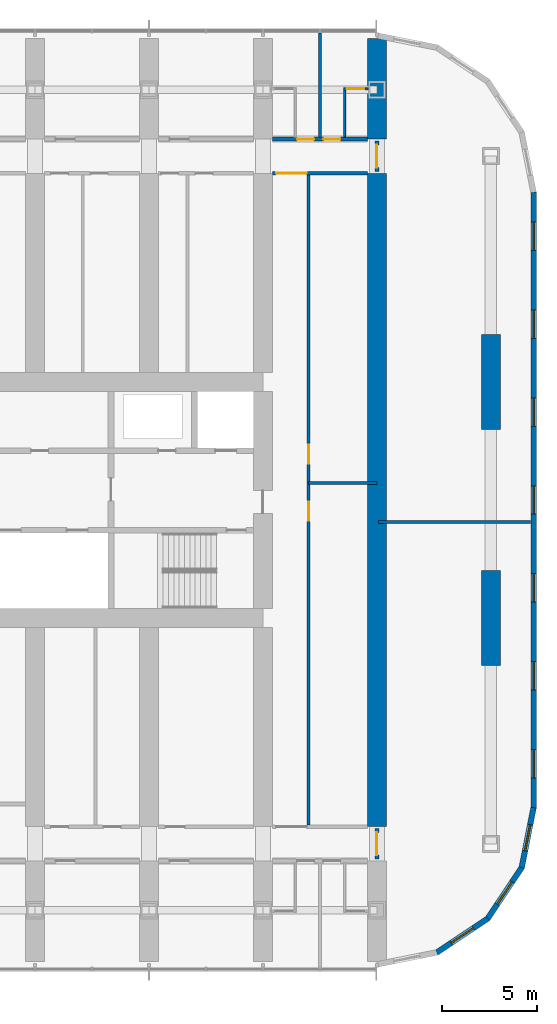
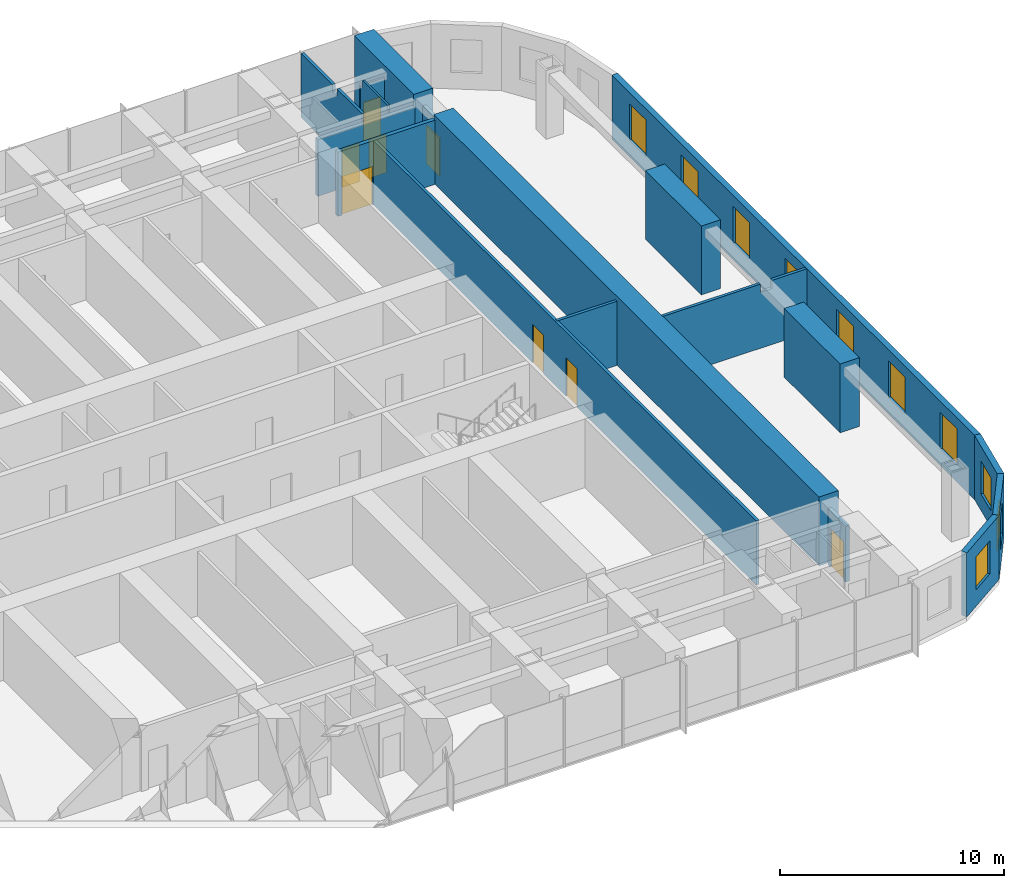
# One storey, part 17 of 23: 18 walls, 10 windows, 8 doors, 18 openings.
"""IFC4 building model written with IfcOpenShell, lengths in metres."""

from ifc_helpers import new_model, si_unit, direction, frame, frame_2d, origin, place, context, subcontext, project, spatial, polyline, rectangle, outline, extrude, material, layer, layer_set, type_object, element, fill, save


model = new_model("IFC4")

# Units and contexts
model_context = context("Model", 3, precision=1e-05, world=origin(), true_north=direction((0.0, 1.0)))
body_context = subcontext(model_context, "Body", "Model", "MODEL_VIEW")
ifc_project = project(units=[si_unit("LENGTHUNIT", "METRE"), si_unit("AREAUNIT", "SQUARE_METRE"), si_unit("VOLUMEUNIT", "CUBIC_METRE"), si_unit("PLANEANGLEUNIT", "RADIAN"), si_unit("MASSUNIT", "GRAM", prefix="KILO")], contexts=[model_context])

# Site, building, storey
site_placement = place(None, origin())
site = spatial("IfcSite", under=ifc_project, at=site_placement, CompositionType="ELEMENT")
building_placement = place(site_placement, origin())
building = spatial("IfcBuilding", under=site, at=building_placement, Name="Orbita Commons", CompositionType="ELEMENT")
storey_placement = place(building_placement, frame((0.0, 0.0, 61.449951171875)))
storey = spatial("IfcBuildingStorey", under=building, at=storey_placement, Name="L15", CompositionType="ELEMENT", Elevation=61.449951171875)

# Wall, openings, doors
ifc_material_1 = material(Name="Concrete blockwork", Category="masonry")
ifc_layer_1 = layer(ifc_material_1, 0.199951171875)
ifc_layer_set_1 = layer_set([ifc_layer_1], Name="Concrete blockwork")
wall_type_1 = type_object("IfcWallType", Name="Corridor wall 200 blockwork", PredefinedType="SOLIDWALL", material=ifc_layer_set_1)
wall_1_placement = place(storey_placement, frame((66.5, 51.0, 0.0), z_axis=(0.0, 0.0, 1.0), x_axis=(1.0, 0.0, 0.0)))
wall_1 = element("IfcWall", 1, at=wall_1_placement, inside=storey, type_object=wall_type_1, Name="Corridor wall 200 blockwork L15", PredefinedType="SOLIDWALL", context=body_context, shape_type="SweptSolid", body=[
    extrude(outline(polyline([(0.0, 0.0), (5.0, 0.0), (5.0, 3.10009765625), (0.0, 3.10009765625), (0.0, 0.0)])), frame((0.0, 0.10009765625, 0.0), z_axis=(0.0, -1.0, 0.0), x_axis=(1.0, 0.0, 0.0)), (0.0, 0.0, 1.0), 0.199951171875),
])
opening_1_placement = place(wall_1_placement, frame((1.300048828125, 0.0, 0.0)))
opening_1 = element("IfcOpeningElement", 2, at=opening_1_placement, cuts=wall_1, Name="Opening D11", PredefinedType="OPENING", context=body_context, shape_type="SweptSolid", body=[
    extrude(rectangle(XDim=0.89990234375, YDim=2.10009765625, at=frame_2d((0.449951171875, 1.050048828125))), frame((0.0, 0.10986328125, 0.0), z_axis=(0.0, -1.0, 0.0), x_axis=(1.0, 0.0, 0.0)), (0.0, 0.0, 1.0), 0.219970703125),
])
opening_2_placement = place(wall_1_placement, frame((2.675048828125, 0.0, 0.0)))
opening_2 = element("IfcOpeningElement", 3, at=opening_2_placement, cuts=wall_1, Name="Opening D11", PredefinedType="OPENING", context=body_context, shape_type="SweptSolid", body=[
    extrude(rectangle(XDim=0.89990234375, YDim=2.10009765625, at=frame_2d((0.449951171875, 1.050048828125))), frame((0.0, 0.10986328125, 0.0), z_axis=(0.0, -1.0, 0.0), x_axis=(1.0, 0.0, 0.0)), (0.0, 0.0, 1.0), 0.219970703125),
])
ifc_material_2 = material(Name="Steel-faced fire door leaf", Category="steel")
door_type_1 = type_object("IfcDoorType", Name="Corridor door 20 min 900x2100", OperationType="SINGLE_SWING_LEFT", PredefinedType="DOOR", material=ifc_material_2)
door_1_placement = place(opening_1_placement, origin())
door_1 = element("IfcDoor", 4, at=door_1_placement, inside=storey, type_object=door_type_1, Name="House bedroom L15-N18 door", OperationType="SINGLE_SWING_LEFT", OverallHeight=2.10009765625, OverallWidth=0.89990234375, PredefinedType="DOOR", context=body_context, shape_type="SweptSolid", body=[
    extrude(rectangle(XDim=0.89990234375, YDim=2.10009765625, at=frame_2d((0.449951171875, 1.050048828125))), frame((0.0, 0.02490234375, 0.0), z_axis=(0.0, -1.0, 0.0), x_axis=(1.0, 0.0, 0.0)), (0.0, 0.0, 1.0), 0.050048828125),
])
fill(opening_1, door_1)
door_2_placement = place(opening_2_placement, origin())
door_2 = element("IfcDoor", 5, at=door_2_placement, inside=storey, type_object=door_type_1, Name="House bedroom L15-N19 door", OperationType="SINGLE_SWING_LEFT", OverallHeight=2.10009765625, OverallWidth=0.89990234375, PredefinedType="DOOR", context=body_context, shape_type="SweptSolid", body=[
    extrude(rectangle(XDim=0.89990234375, YDim=2.10009765625, at=frame_2d((0.449951171875, 1.050048828125))), frame((0.0, 0.02490234375, 0.0), z_axis=(0.0, -1.0, 0.0), x_axis=(1.0, 0.0, 0.0)), (0.0, 0.0, 1.0), 0.050048828125),
])
fill(opening_2, door_2)

# Wall, opening, door
wall_2_placement = place(storey_placement, frame((72.0, 13.10009765625, 0.0), z_axis=(0.0, 0.0, 1.0), x_axis=(0.0, 1.0, 0.0)))
wall_2 = element("IfcWall", 6, at=wall_2_placement, inside=storey, type_object=wall_type_1, Name="Corridor wall 200 blockwork L15", PredefinedType="SOLIDWALL", context=body_context, shape_type="SweptSolid", body=[
    extrude(outline(polyline([(0.0, 0.0), (1.599853515625, 0.0), (1.60009765625, 3.050048828125), (0.0, 3.050048828125), (0.0, 0.0)])), frame((0.0, 0.10009765625, 0.0), z_axis=(0.0, -1.0, 0.0), x_axis=(1.0, 0.0, 0.0)), (0.0, 0.0, 1.0), 0.199951171875),
])
opening_3_placement = place(wall_2_placement, frame((0.199951171875, 0.0, 0.0)))
opening_3 = element("IfcOpeningElement", 7, at=opening_3_placement, cuts=wall_2, Name="Opening D12", PredefinedType="OPENING", context=body_context, shape_type="SweptSolid", body=[
    extrude(rectangle(XDim=1.199951171875, YDim=2.10009765625, at=frame_2d((0.60009765625, 1.050048828125))), frame((0.0, 0.10986328125, 0.0), z_axis=(0.0, -1.0, 0.0), x_axis=(1.0, 0.0, 0.0)), (0.0, 0.0, 1.0), 0.219970703125),
])
ifc_material_3 = material(Name="Steel-faced fire door leaf", Category="steel")
door_type_2 = type_object("IfcDoorType", Name="Double corridor door 20 min 1200x2100", OperationType="DOUBLE_DOOR_SINGLE_SWING", PredefinedType="DOOR", material=ifc_material_3)
door_3_placement = place(opening_3_placement, origin())
door_3 = element("IfcDoor", 8, at=door_3_placement, inside=storey, type_object=door_type_2, Name="Lounge doors", OperationType="DOUBLE_DOOR_SINGLE_SWING", OverallHeight=2.10009765625, OverallWidth=1.199951171875, PredefinedType="DOOR", context=body_context, shape_type="SweptSolid", body=[
    extrude(rectangle(XDim=1.199951171875, YDim=2.10009765625, at=frame_2d((0.60009765625, 1.050048828125))), frame((0.0, 0.02490234375, 0.0), z_axis=(0.0, -1.0, 0.0), x_axis=(1.0, 0.0, 0.0)), (0.0, 0.0, 1.0), 0.050048828125),
])
fill(opening_3, door_3)

wall_3_placement = place(storey_placement, frame((72.0, 49.300048828125, 0.0), z_axis=(0.0, 0.0, 1.0), x_axis=(0.0, 1.0, 0.0)))
wall_3 = element("IfcWall", 9, at=wall_3_placement, inside=storey, type_object=wall_type_1, Name="Corridor wall 200 blockwork L15", PredefinedType="SOLIDWALL", context=body_context, shape_type="SweptSolid", body=[
    extrude(outline(polyline([(0.0, 0.0), (1.599853515625, 0.0), (1.60009765625, 3.050048828125), (0.0, 3.050048828125), (0.0, 0.0)])), frame((0.0, 0.10009765625, 0.0), z_axis=(0.0, -1.0, 0.0), x_axis=(1.0, 0.0, 0.0)), (0.0, 0.0, 1.0), 0.199951171875),
])
opening_4_placement = place(wall_3_placement, frame((0.199951171875, 0.0, 0.0)))
opening_4 = element("IfcOpeningElement", 10, at=opening_4_placement, cuts=wall_3, Name="Opening D12", PredefinedType="OPENING", context=body_context, shape_type="SweptSolid", body=[
    extrude(rectangle(XDim=1.199951171875, YDim=2.10009765625, at=frame_2d((0.60009765625, 1.050048828125))), frame((0.0, 0.10986328125, 0.0), z_axis=(0.0, -1.0, 0.0), x_axis=(1.0, 0.0, 0.0)), (0.0, 0.0, 1.0), 0.219970703125),
])
door_4_placement = place(opening_4_placement, origin())
door_4 = element("IfcDoor", 11, at=door_4_placement, inside=storey, type_object=door_type_2, Name="Lounge doors", OperationType="DOUBLE_DOOR_SINGLE_SWING", OverallHeight=2.10009765625, OverallWidth=1.199951171875, PredefinedType="DOOR", context=body_context, shape_type="SweptSolid", body=[
    extrude(rectangle(XDim=1.199951171875, YDim=2.10009765625, at=frame_2d((0.60009765625, 1.050048828125))), frame((0.0, 0.02490234375, 0.0), z_axis=(0.0, -1.0, 0.0), x_axis=(1.0, 0.0, 0.0)), (0.0, 0.0, 1.0), 0.050048828125),
])
fill(opening_4, door_4)

ifc_material_4 = material(Name="Hollow concrete block 200", Category="concrete")
ifc_layer_2 = layer(ifc_material_4, 0.199951171875)
ifc_layer_set_2 = layer_set([ifc_layer_2], Name="Hollow concrete block 200")
wall_type_2 = type_object("IfcWallType", Name="Corridor wall 200 hollow concrete block", PredefinedType="SOLIDWALL", material=ifc_layer_set_2)
wall_4_placement = place(storey_placement, frame((66.5, 49.199951171875, 0.0), z_axis=(0.0, 0.0, 1.0), x_axis=(1.0, 0.0, 0.0)))
wall_4 = element("IfcWall", 12, at=wall_4_placement, inside=storey, type_object=wall_type_2, Name="Corridor wall 200 hollow concrete block L15", PredefinedType="SOLIDWALL", context=body_context, shape_type="SweptSolid", body=[
    extrude(rectangle(XDim=5.0, YDim=0.199951171875, at=frame_2d((2.5, 0.0))), origin(), (0.0, 0.0, 1.0), 3.5),
])
opening_5_placement = place(wall_4_placement, frame((0.199951171875, 0.0, 0.0)))
opening_5 = element("IfcOpeningElement", 13, at=opening_5_placement, cuts=wall_4, Name="Opening D10", PredefinedType="OPENING", context=body_context, shape_type="SweptSolid", body=[
    extrude(rectangle(XDim=1.60009765625, YDim=2.10009765625, at=frame_2d((0.800048828125, 1.050048828125))), frame((0.0, 0.10986328125, 0.0), z_axis=(0.0, -1.0, 0.0), x_axis=(1.0, 0.0, 0.0)), (0.0, 0.0, 1.0), 0.219970703125),
])
ifc_material_5 = material(Name="Steel-faced fire door leaf", Category="steel")
door_type_3 = type_object("IfcDoorType", Name="Double corridor door 20 min 1600x2100", OperationType="DOUBLE_DOOR_SINGLE_SWING", PredefinedType="DOOR", material=ifc_material_5)
door_5_placement = place(opening_5_placement, origin())
door_5 = element("IfcDoor", 14, at=door_5_placement, inside=storey, type_object=door_type_3, Name="Cross corridor doors", OperationType="DOUBLE_DOOR_SINGLE_SWING", OverallHeight=2.10009765625, OverallWidth=1.60009765625, PredefinedType="DOOR", context=body_context, shape_type="SweptSolid", body=[
    extrude(rectangle(XDim=1.60009765625, YDim=2.10009765625, at=frame_2d((0.800048828125, 1.050048828125))), frame((0.0, 0.02490234375, 0.0), z_axis=(0.0, -1.0, 0.0), x_axis=(1.0, 0.0, 0.0)), (0.0, 0.0, 1.0), 0.050048828125),
])
fill(opening_5, door_5)

# Walls
ifc_material_6 = material(Name="Concrete C50/60", Category="concrete")
ifc_layer_3 = layer(ifc_material_6, 1.0)
ifc_layer_set_3 = layer_set([ifc_layer_3], Name="Concrete C50/60")
wall_type_3 = type_object("IfcWallType", Name="Cross wall 1000 C50/60", PredefinedType="SHEAR", material=ifc_layer_set_3)
wall_5_placement = place(storey_placement, frame((72.0, 51.0, 0.0), z_axis=(0.0, 0.0, 1.0), x_axis=(0.0, 1.0, 0.0)))
element("IfcWall", 15, at=wall_5_placement, inside=storey, type_object=wall_type_3, Name="Cross wall 13 north outer L15", PredefinedType="SHEAR", context=body_context, shape_type="SweptSolid", body=[
    extrude(rectangle(XDim=5.300048828125, YDim=1.0, at=frame_2d((2.64990234375, 0.0))), origin(), (0.0, 0.0, 1.0), 3.75),
])
wall_6_placement = place(storey_placement, frame((72.0, 14.800048828125, 0.0), z_axis=(0.0, 0.0, 1.0), x_axis=(0.0, 1.0, 0.0)))
element("IfcWall", 16, at=wall_6_placement, inside=storey, type_object=wall_type_3, Name="Cross wall 13 inner L15", PredefinedType="SHEAR", context=body_context, shape_type="SweptSolid", body=[
    extrude(rectangle(XDim=34.39990234375, YDim=1.0, at=frame_2d((17.199951171875, 0.0))), origin(), (0.0, 0.0, 1.0), 3.75),
])

# Wall, opening, door
ifc_material_7 = material(Name="Moisture-resistant plasterboard on steel studs", Category="steel")
ifc_layer_4 = layer(ifc_material_7, 0.10009765625)
ifc_layer_set_4 = layer_set([ifc_layer_4], Name="Moisture-resistant plasterboard on steel studs")
wall_type_4 = type_object("IfcWallType", Name="En-suite partition 100", PredefinedType="PARTITIONING", material=ifc_layer_set_4)
wall_7_placement = place(storey_placement, frame((70.25, 53.6416015625, 0.0), z_axis=(0.0, 0.0, 1.0), x_axis=(1.0, 0.0, 0.0)))
wall_7 = element("IfcWall", 17, at=wall_7_placement, inside=storey, type_object=wall_type_4, Name="En-suite partition 100 L15", PredefinedType="PARTITIONING", context=body_context, shape_type="SweptSolid", body=[
    extrude(outline(polyline([(0.0, 0.0), (1.300048828125, 0.0), (1.300048828125, 3.10009765625), (0.0, 3.10009765625), (0.0, 0.0)])), frame((0.0, 0.050048828125, 0.0), z_axis=(0.0, -1.0, 0.0), x_axis=(1.0, 0.0, 0.0)), (0.0, 0.0, 1.0), 0.10009765625),
])
opening_6_placement = place(wall_7_placement, frame((0.175048828125, 0.0, 0.0)))
opening_6 = element("IfcOpeningElement", 18, at=opening_6_placement, cuts=wall_7, Name="Opening D09", PredefinedType="OPENING", context=body_context, shape_type="SweptSolid", body=[
    extrude(rectangle(XDim=0.89990234375, YDim=2.10009765625, at=frame_2d((0.449951171875, 1.050048828125))), frame((0.0, 0.06005859375, 0.0), z_axis=(0.0, -1.0, 0.0), x_axis=(1.0, 0.0, 0.0)), (0.0, 0.0, 1.0), 0.1201171875),
])
ifc_material_8 = material(Name="Laminated timber door leaf", Category="wood")
door_type_4 = type_object("IfcDoorType", Name="En-suite door 900x2100", OperationType="SINGLE_SWING_RIGHT", PredefinedType="DOOR", material=ifc_material_8)
door_6_placement = place(opening_6_placement, origin())
door_6 = element("IfcDoor", 19, at=door_6_placement, inside=storey, type_object=door_type_4, Name="En-suite L15-N19 door", OperationType="SINGLE_SWING_RIGHT", OverallHeight=2.10009765625, OverallWidth=0.89990234375, PredefinedType="DOOR", context=body_context, shape_type="SweptSolid", body=[
    extrude(rectangle(XDim=0.89990234375, YDim=2.10009765625, at=frame_2d((0.449951171875, 1.050048828125))), frame((0.0, 0.02490234375, 0.0), z_axis=(0.0, -1.0, 0.0), x_axis=(1.0, 0.0, 0.0)), (0.0, 0.0, 1.0), 0.050048828125),
])
fill(opening_6, door_6)

# Walls
wall_8_placement = place(storey_placement, frame((70.300048828125, 53.591796875, 0.0), z_axis=(0.0, 0.0, 1.0), x_axis=(0.0, -1.0, 0.0)))
element("IfcWall", 20, at=wall_8_placement, inside=storey, type_object=wall_type_4, Name="En-suite partition 100 L15", PredefinedType="PARTITIONING", context=body_context, shape_type="SweptSolid", body=[
    extrude(outline(polyline([(0.0, 0.0), (2.49169921875, 0.0), (2.49169921875, 3.10009765625), (2.443603515625, 3.10009765625), (2.441650390625, 3.5), (0.193603515625, 3.5), (0.191650390625, 3.10009765625), (0.0, 3.10009765625), (0.0, 0.0)])), frame((0.0, 0.050048828125, 0.0), z_axis=(0.0, -1.0, 0.0), x_axis=(1.0, 0.0, 0.0)), (0.0, 0.0, 1.0), 0.10009765625),
])
ifc_material_9 = material(Name="Concrete C50/60", Category="concrete")
ifc_layer_5 = layer(ifc_material_9, 1.0)
ifc_layer_set_5 = layer_set([ifc_layer_5], Name="Concrete C50/60")
wall_type_5 = type_object("IfcWallType", Name="End pier 1000x5000 C50/60", PredefinedType="SHEAR", material=ifc_layer_set_5)
for number, where, z_axis, x_axis, name in (
    (21, (78.0, 23.300048828125, 0.0), (0.0, 0.0, 1.0), (0.0, 1.0, 0.0), "End pier 14/C L15"),
    (22, (78.0, 35.699951171875, 0.0), (0.0, 0.0, 1.0), (0.0, 1.0, 0.0), "End pier 14/D L15"),
):
    element("IfcWall", number, at=place(storey_placement, frame(where, z_axis=z_axis, x_axis=x_axis)), inside=storey, type_object=wall_type_5, Name=name, PredefinedType="SHEAR", context=body_context, shape_type="SweptSolid", body=[
        extrude(rectangle(XDim=5.0, YDim=1.0, at=frame_2d((2.5, 0.0))), origin(), (0.0, 0.0, 1.0), 3.75),
    ])

# Wall, openings, doors
ifc_material_10 = material(Name="Gypsum plasterboard on steel studs", Category="steel")
ifc_layer_6 = layer(ifc_material_10, 0.14990234375)
ifc_layer_set_6 = layer_set([ifc_layer_6], Name="Gypsum plasterboard on steel studs")
wall_type_6 = type_object("IfcWallType", Name="Partition 150 plasterboard", PredefinedType="PARTITIONING", material=ifc_layer_set_6)
wall_9_placement = place(storey_placement, frame((68.39990234375, 14.89990234375, 0.0), z_axis=(0.0, 0.0, 1.0), x_axis=(0.0, 1.0, 0.0)))
wall_9 = element("IfcWall", 23, at=wall_9_placement, inside=storey, type_object=wall_type_6, Name="Partition 150 plasterboard L15", PredefinedType="PARTITIONING", context=body_context, shape_type="SweptSolid", body=[
    extrude(rectangle(XDim=34.2001953125, YDim=0.14990234375, at=frame_2d((17.10009765625, 0.0))), origin(), (0.0, 0.0, 1.0), 3.5),
])
opening_7_placement = place(wall_9_placement, frame((16.0, 0.0, 0.0)))
opening_7 = element("IfcOpeningElement", 24, at=opening_7_placement, cuts=wall_9, Name="Opening D06", PredefinedType="OPENING", context=body_context, shape_type="SweptSolid", body=[
    extrude(rectangle(XDim=1.0, YDim=2.10009765625, at=frame_2d((0.5, 1.050048828125))), frame((0.0, 0.0849609375, 0.0), z_axis=(0.0, -1.0, 0.0), x_axis=(1.0, 0.0, 0.0)), (0.0, 0.0, 1.0), 0.169921875),
])
opening_8_placement = place(wall_9_placement, frame((19.0, 0.0, 0.0)))
opening_8 = element("IfcOpeningElement", 25, at=opening_8_placement, cuts=wall_9, Name="Opening D06", PredefinedType="OPENING", context=body_context, shape_type="SweptSolid", body=[
    extrude(rectangle(XDim=1.0, YDim=2.10009765625, at=frame_2d((0.5, 1.050048828125))), frame((0.0, 0.0849609375, 0.0), z_axis=(0.0, -1.0, 0.0), x_axis=(1.0, 0.0, 0.0)), (0.0, 0.0, 1.0), 0.169921875),
])
ifc_material_11 = material(Name="Steel-faced fire door leaf", Category="steel")
door_type_5 = type_object("IfcDoorType", Name="Corridor door 20 min 1000x2100", OperationType="SINGLE_SWING_LEFT", PredefinedType="DOOR", material=ifc_material_11)
door_7_placement = place(opening_7_placement, origin())
door_7 = element("IfcDoor", 26, at=door_7_placement, inside=storey, type_object=door_type_5, Name="Prayer room door", OperationType="SINGLE_SWING_LEFT", OverallHeight=2.10009765625, OverallWidth=1.0, PredefinedType="DOOR", context=body_context, shape_type="SweptSolid", body=[
    extrude(rectangle(XDim=1.0, YDim=2.10009765625, at=frame_2d((0.5, 1.050048828125))), frame((0.0, 0.02490234375, 0.0), z_axis=(0.0, -1.0, 0.0), x_axis=(1.0, 0.0, 0.0)), (0.0, 0.0, 1.0), 0.050048828125),
])
fill(opening_7, door_7)
door_8_placement = place(opening_8_placement, origin())
door_8 = element("IfcDoor", 27, at=door_8_placement, inside=storey, type_object=door_type_5, Name="Quiet room en door", OperationType="SINGLE_SWING_LEFT", OverallHeight=2.10009765625, OverallWidth=1.0, PredefinedType="DOOR", context=body_context, shape_type="SweptSolid", body=[
    extrude(rectangle(XDim=1.0, YDim=2.10009765625, at=frame_2d((0.5, 1.050048828125))), frame((0.0, 0.02490234375, 0.0), z_axis=(0.0, -1.0, 0.0), x_axis=(1.0, 0.0, 0.0)), (0.0, 0.0, 1.0), 0.050048828125),
])
fill(opening_8, door_8)

# Walls
wall_10_placement = place(storey_placement, frame((68.39990234375, 32.89990234375, 0.0), z_axis=(0.0, 0.0, 1.0), x_axis=(1.0, 0.0, 0.0)))
element("IfcWall", 28, at=wall_10_placement, inside=storey, type_object=wall_type_6, Name="Partition 150 plasterboard L15", PredefinedType="PARTITIONING", context=body_context, shape_type="SweptSolid", body=[
    extrude(rectangle(XDim=3.60009765625, YDim=0.14990234375, at=frame_2d((1.800048828125, 0.0))), origin(), (0.0, 0.0, 1.0), 3.5),
])
wall_11_placement = place(storey_placement, frame((72.074951171875, 30.85009765625, 0.0), z_axis=(0.0, 0.0, 1.0), x_axis=(1.0, 0.0, 0.0)))
element("IfcWall", 29, at=wall_11_placement, inside=storey, type_object=wall_type_6, Name="Partition 150 plasterboard L15", PredefinedType="PARTITIONING", context=body_context, shape_type="SweptSolid", body=[
    extrude(outline(polyline([(0.0, 0.0), (8.02001953125, 0.0), (8.02001953125, 3.5), (6.22705078125, 3.5), (6.22509765625, 3.050048828125), (5.626953125, 3.050048828125), (5.625, 3.5), (0.0, 3.5), (0.0, 0.0)])), frame((0.0, 0.074951171875, 0.0), z_axis=(0.0, -1.0, 0.0), x_axis=(1.0, 0.0, 0.0)), (0.0, 0.0, 1.0), 0.14990234375),
])
ifc_material_12 = material(Name="Gypsum plasterboard on steel studs", Category="steel")
ifc_layer_7 = layer(ifc_material_12, 0.14990234375)
ifc_layer_set_7 = layer_set([ifc_layer_7], Name="Gypsum plasterboard on steel studs")
wall_type_7 = type_object("IfcWallType", Name="Party wall 150 plasterboard", PredefinedType="PARTITIONING", material=ifc_layer_set_7)
wall_12_placement = place(storey_placement, frame((69.0, 56.590087890625, 0.0), z_axis=(0.0, 0.0, 1.0), x_axis=(0.0, -1.0, 0.0)))
element("IfcWall", 30, at=wall_12_placement, inside=storey, type_object=wall_type_7, Name="Party wall 150 plasterboard L15", PredefinedType="PARTITIONING", context=body_context, shape_type="SweptSolid", body=[
    extrude(outline(polyline([(0.0, 0.0), (5.489990234375, 0.0), (5.489990234375, 3.10009765625), (5.44189453125, 3.10009765625), (5.43994140625, 3.5), (3.19189453125, 3.5), (3.18994140625, 3.10009765625), (2.7919921875, 3.10009765625), (2.7900390625, 3.5), (0.0, 3.5), (0.0, 0.0)])), frame((0.0, 0.074951171875, 0.0), z_axis=(0.0, -1.0, 0.0), x_axis=(1.0, 0.0, 0.0)), (0.0, 0.0, 1.0), 0.14990234375),
])

# Wall, openings, windows
ifc_material_13 = material(Name="Precast concrete C40/50, white board-marked finish", Category="concrete")
ifc_layer_8 = layer(ifc_material_13, 0.300048828125)
ifc_layer_set_8 = layer_set([ifc_layer_8], Name="Precast concrete C40/50, white board-marked finish")
wall_type_8 = type_object("IfcWallType", Name="Precast concrete end shield 300", PredefinedType="SOLIDWALL", material=ifc_layer_set_8)
wall_13_placement = place(storey_placement, frame((80.25, 15.800048828125, 0.0), z_axis=(0.0, 0.0, 1.0), x_axis=(0.0, 1.0, 0.0)))
wall_13 = element("IfcWall", 31, at=wall_13_placement, inside=storey, type_object=wall_type_8, Name="End shield E L15", PredefinedType="SOLIDWALL", context=body_context, shape_type="SweptSolid", body=[
    extrude(outline(polyline([(-0.014892578125, -0.14990234375), (32.414794921875, -0.14990234375), (32.385009765625, 0.14990234375), (0.014892578125, 0.14990234375), (-0.014892578125, -0.14990234375)])), origin(), (0.0, 0.0, 1.0), 3.5),
])
opening_9_placement = place(wall_13_placement, frame((1.564208984375, 0.0, 0.89990234375)))
opening_9 = element("IfcOpeningElement", 32, at=opening_9_placement, cuts=wall_13, Name="Opening W01", PredefinedType="OPENING", context=body_context, shape_type="SweptSolid", body=[
    extrude(rectangle(XDim=1.5, YDim=2.0, at=frame_2d((0.75, 1.0))), frame((0.0, 0.159912109375, 0.0), z_axis=(0.0, -1.0, 0.0), x_axis=(1.0, 0.0, 0.0)), (0.0, 0.0, 1.0), 0.320068359375),
])
opening_10_placement = place(wall_13_placement, frame((6.19287109375, 0.0, 0.89990234375)))
opening_10 = element("IfcOpeningElement", 33, at=opening_10_placement, cuts=wall_13, Name="Opening W01", PredefinedType="OPENING", context=body_context, shape_type="SweptSolid", body=[
    extrude(rectangle(XDim=1.5, YDim=2.0, at=frame_2d((0.75, 1.0))), frame((0.0, 0.159912109375, 0.0), z_axis=(0.0, -1.0, 0.0), x_axis=(1.0, 0.0, 0.0)), (0.0, 0.0, 1.0), 0.320068359375),
])
opening_11_placement = place(wall_13_placement, frame((10.821533203125, 0.0, 0.89990234375)))
opening_11 = element("IfcOpeningElement", 34, at=opening_11_placement, cuts=wall_13, Name="Opening W01", PredefinedType="OPENING", context=body_context, shape_type="SweptSolid", body=[
    extrude(rectangle(XDim=1.5, YDim=2.0, at=frame_2d((0.75, 1.0))), frame((0.0, 0.159912109375, 0.0), z_axis=(0.0, -1.0, 0.0), x_axis=(1.0, 0.0, 0.0)), (0.0, 0.0, 1.0), 0.320068359375),
])
opening_12_placement = place(wall_13_placement, frame((15.449951171875, 0.0, 0.89990234375)))
opening_12 = element("IfcOpeningElement", 35, at=opening_12_placement, cuts=wall_13, Name="Opening W01", PredefinedType="OPENING", context=body_context, shape_type="SweptSolid", body=[
    extrude(rectangle(XDim=1.5, YDim=2.0, at=frame_2d((0.75, 1.0))), frame((0.0, 0.159912109375, 0.0), z_axis=(0.0, -1.0, 0.0), x_axis=(1.0, 0.0, 0.0)), (0.0, 0.0, 1.0), 0.320068359375),
])
opening_13_placement = place(wall_13_placement, frame((20.07861328125, 0.0, 0.89990234375)))
opening_13 = element("IfcOpeningElement", 36, at=opening_13_placement, cuts=wall_13, Name="Opening W01", PredefinedType="OPENING", context=body_context, shape_type="SweptSolid", body=[
    extrude(rectangle(XDim=1.5, YDim=2.0, at=frame_2d((0.75, 1.0))), frame((0.0, 0.159912109375, 0.0), z_axis=(0.0, -1.0, 0.0), x_axis=(1.0, 0.0, 0.0)), (0.0, 0.0, 1.0), 0.320068359375),
])
opening_14_placement = place(wall_13_placement, frame((24.70703125, 0.0, 0.89990234375)))
opening_14 = element("IfcOpeningElement", 37, at=opening_14_placement, cuts=wall_13, Name="Opening W01", PredefinedType="OPENING", context=body_context, shape_type="SweptSolid", body=[
    extrude(rectangle(XDim=1.5, YDim=2.0, at=frame_2d((0.75, 1.0))), frame((0.0, 0.159912109375, 0.0), z_axis=(0.0, -1.0, 0.0), x_axis=(1.0, 0.0, 0.0)), (0.0, 0.0, 1.0), 0.320068359375),
])
opening_15_placement = place(wall_13_placement, frame((29.335693359375, 0.0, 0.89990234375)))
opening_15 = element("IfcOpeningElement", 38, at=opening_15_placement, cuts=wall_13, Name="Opening W01", PredefinedType="OPENING", context=body_context, shape_type="SweptSolid", body=[
    extrude(rectangle(XDim=1.5, YDim=2.0, at=frame_2d((0.75, 1.0))), frame((0.0, 0.159912109375, 0.0), z_axis=(0.0, -1.0, 0.0), x_axis=(1.0, 0.0, 0.0)), (0.0, 0.0, 1.0), 0.320068359375),
])
ifc_material_14 = material(Name="Aluminium frame, clear double glazing", Category="aluminium")
window_type_1 = type_object("IfcWindowType", Name="Deep-set window 1500x2000", PartitioningType="SINGLE_PANEL", PredefinedType="WINDOW", material=ifc_material_14)
window_1_placement = place(opening_9_placement, origin())
window_1 = element("IfcWindow", 39, at=window_1_placement, inside=storey, type_object=window_type_1, Name="Window L15-E 1", OverallHeight=2.0, OverallWidth=1.5, PartitioningType="SINGLE_PANEL", PredefinedType="WINDOW", context=body_context, shape_type="SweptSolid", body=[
    extrude(rectangle(XDim=1.5, YDim=2.0, at=frame_2d((0.75, 1.0))), frame((0.0, 0.030029296875, 0.0), z_axis=(0.0, -1.0, 0.0), x_axis=(1.0, 0.0, 0.0)), (0.0, 0.0, 1.0), 0.06005859375),
])
fill(opening_9, window_1)
window_2_placement = place(opening_10_placement, origin())
window_2 = element("IfcWindow", 40, at=window_2_placement, inside=storey, type_object=window_type_1, Name="Window L15-E 2", OverallHeight=2.0, OverallWidth=1.5, PartitioningType="SINGLE_PANEL", PredefinedType="WINDOW", context=body_context, shape_type="SweptSolid", body=[
    extrude(rectangle(XDim=1.5, YDim=2.0, at=frame_2d((0.75, 1.0))), frame((0.0, 0.030029296875, 0.0), z_axis=(0.0, -1.0, 0.0), x_axis=(1.0, 0.0, 0.0)), (0.0, 0.0, 1.0), 0.06005859375),
])
fill(opening_10, window_2)
window_3_placement = place(opening_11_placement, origin())
window_3 = element("IfcWindow", 41, at=window_3_placement, inside=storey, type_object=window_type_1, Name="Window L15-E 3", OverallHeight=2.0, OverallWidth=1.5, PartitioningType="SINGLE_PANEL", PredefinedType="WINDOW", context=body_context, shape_type="SweptSolid", body=[
    extrude(rectangle(XDim=1.5, YDim=2.0, at=frame_2d((0.75, 1.0))), frame((0.0, 0.030029296875, 0.0), z_axis=(0.0, -1.0, 0.0), x_axis=(1.0, 0.0, 0.0)), (0.0, 0.0, 1.0), 0.06005859375),
])
fill(opening_11, window_3)
window_4_placement = place(opening_12_placement, origin())
window_4 = element("IfcWindow", 42, at=window_4_placement, inside=storey, type_object=window_type_1, Name="Window L15-E 4", OverallHeight=2.0, OverallWidth=1.5, PartitioningType="SINGLE_PANEL", PredefinedType="WINDOW", context=body_context, shape_type="SweptSolid", body=[
    extrude(rectangle(XDim=1.5, YDim=2.0, at=frame_2d((0.75, 1.0))), frame((0.0, 0.030029296875, 0.0), z_axis=(0.0, -1.0, 0.0), x_axis=(1.0, 0.0, 0.0)), (0.0, 0.0, 1.0), 0.06005859375),
])
fill(opening_12, window_4)
window_5_placement = place(opening_13_placement, origin())
window_5 = element("IfcWindow", 43, at=window_5_placement, inside=storey, type_object=window_type_1, Name="Window L15-E 5", OverallHeight=2.0, OverallWidth=1.5, PartitioningType="SINGLE_PANEL", PredefinedType="WINDOW", context=body_context, shape_type="SweptSolid", body=[
    extrude(rectangle(XDim=1.5, YDim=2.0, at=frame_2d((0.75, 1.0))), frame((0.0, 0.030029296875, 0.0), z_axis=(0.0, -1.0, 0.0), x_axis=(1.0, 0.0, 0.0)), (0.0, 0.0, 1.0), 0.06005859375),
])
fill(opening_13, window_5)
window_6_placement = place(opening_14_placement, origin())
window_6 = element("IfcWindow", 44, at=window_6_placement, inside=storey, type_object=window_type_1, Name="Window L15-E 6", OverallHeight=2.0, OverallWidth=1.5, PartitioningType="SINGLE_PANEL", PredefinedType="WINDOW", context=body_context, shape_type="SweptSolid", body=[
    extrude(rectangle(XDim=1.5, YDim=2.0, at=frame_2d((0.75, 1.0))), frame((0.0, 0.030029296875, 0.0), z_axis=(0.0, -1.0, 0.0), x_axis=(1.0, 0.0, 0.0)), (0.0, 0.0, 1.0), 0.06005859375),
])
fill(opening_14, window_6)
window_7_placement = place(opening_15_placement, origin())
window_7 = element("IfcWindow", 45, at=window_7_placement, inside=storey, type_object=window_type_1, Name="Window L15-E 7", OverallHeight=2.0, OverallWidth=1.5, PartitioningType="SINGLE_PANEL", PredefinedType="WINDOW", context=body_context, shape_type="SweptSolid", body=[
    extrude(rectangle(XDim=1.5, YDim=2.0, at=frame_2d((0.75, 1.0))), frame((0.0, 0.030029296875, 0.0), z_axis=(0.0, -1.0, 0.0), x_axis=(1.0, 0.0, 0.0)), (0.0, 0.0, 1.0), 0.06005859375),
])
fill(opening_15, window_7)

# Wall, opening, window
wall_14_placement = place(storey_placement, frame((75.156982421875, 8.177978515625, 0.0), z_axis=(0.0, 0.0, 1.0), x_axis=(0.831478105043, 0.555557522525, 0.0)))
wall_14 = element("IfcWall", 46, at=wall_14_placement, inside=storey, type_object=wall_type_8, Name="End shield SE chord 2 L15", PredefinedType="SOLIDWALL", context=body_context, shape_type="SweptSolid", body=[
    extrude(outline(polyline([(-0.02978515625, -0.14990234375), (3.248779296875, -0.14990234375), (3.189208984375, 0.14990234375), (0.02978515625, 0.14990234375), (-0.02978515625, -0.14990234375)])), origin(), (0.0, 0.0, 1.0), 3.5),
])
opening_16_placement = place(wall_14_placement, frame((0.909423828125, 0.0, 0.89990234375)))
opening_16 = element("IfcOpeningElement", 47, at=opening_16_placement, cuts=wall_14, Name="Opening W02", PredefinedType="OPENING", context=body_context, shape_type="SweptSolid", body=[
    extrude(rectangle(XDim=1.39990234375, YDim=1.800048828125, at=frame_2d((0.699951171875, 0.89990234375))), frame((0.0, 0.159912109375, 0.0), z_axis=(0.0, -1.0, 0.0), x_axis=(1.0, 0.0, 0.0)), (0.0, 0.0, 1.0), 0.320068359375),
])
ifc_material_15 = material(Name="Aluminium frame, clear double glazing", Category="aluminium")
window_type_2 = type_object("IfcWindowType", Name="Deep-set window 1400x1800", PartitioningType="SINGLE_PANEL", PredefinedType="WINDOW", material=ifc_material_15)
window_8_placement = place(opening_16_placement, origin())
window_8 = element("IfcWindow", 48, at=window_8_placement, inside=storey, type_object=window_type_2, Name="Window L15-SE1", OverallHeight=1.800048828125, OverallWidth=1.39990234375, PartitioningType="SINGLE_PANEL", PredefinedType="WINDOW", context=body_context, shape_type="SweptSolid", body=[
    extrude(rectangle(XDim=1.39990234375, YDim=1.800048828125, at=frame_2d((0.699951171875, 0.89990234375))), frame((0.0, 0.030029296875, 0.0), z_axis=(0.0, -1.0, 0.0), x_axis=(1.0, 0.0, 0.0)), (0.0, 0.0, 1.0), 0.06005859375),
])
fill(opening_16, window_8)

wall_15_placement = place(storey_placement, frame((77.83349609375, 9.96630859375, 0.0), z_axis=(0.0, 0.0, 1.0), x_axis=(0.555609954424, 0.831443069936, 0.0)))
wall_15 = element("IfcWall", 49, at=wall_15_placement, inside=storey, type_object=wall_type_8, Name="End shield SE chord 3 L15", PredefinedType="SOLIDWALL", context=body_context, shape_type="SweptSolid", body=[
    extrude(outline(polyline([(-0.02978515625, -0.14990234375), (3.2490234375, -0.14990234375), (3.189453125, 0.14990234375), (0.02978515625, 0.14990234375), (-0.02978515625, -0.14990234375)])), origin(), (0.0, 0.0, 1.0), 3.5),
])
opening_17_placement = place(wall_15_placement, frame((0.909423828125, 0.0, 0.89990234375)))
opening_17 = element("IfcOpeningElement", 50, at=opening_17_placement, cuts=wall_15, Name="Opening W02", PredefinedType="OPENING", context=body_context, shape_type="SweptSolid", body=[
    extrude(rectangle(XDim=1.39990234375, YDim=1.800048828125, at=frame_2d((0.699951171875, 0.89990234375))), frame((0.0, 0.159912109375, 0.0), z_axis=(0.0, -1.0, 0.0), x_axis=(1.0, 0.0, 0.0)), (0.0, 0.0, 1.0), 0.320068359375),
])
window_9_placement = place(opening_17_placement, origin())
window_9 = element("IfcWindow", 51, at=window_9_placement, inside=storey, type_object=window_type_2, Name="Window L15-SE2", OverallHeight=1.800048828125, OverallWidth=1.39990234375, PartitioningType="SINGLE_PANEL", PredefinedType="WINDOW", context=body_context, shape_type="SweptSolid", body=[
    extrude(rectangle(XDim=1.39990234375, YDim=1.800048828125, at=frame_2d((0.699951171875, 0.89990234375))), frame((0.0, 0.030029296875, 0.0), z_axis=(0.0, -1.0, 0.0), x_axis=(1.0, 0.0, 0.0)), (0.0, 0.0, 1.0), 0.06005859375),
])
fill(opening_17, window_9)

wall_16_placement = place(storey_placement, frame((79.6220703125, 12.642822265625, 0.0), z_axis=(0.0, 0.0, 1.0), x_axis=(0.195065901187, 0.980790137692, 0.0)))
wall_16 = element("IfcWall", 52, at=wall_16_placement, inside=storey, type_object=wall_type_8, Name="End shield SE chord 4 L15", PredefinedType="SOLIDWALL", context=body_context, shape_type="SweptSolid", body=[
    extrude(outline(polyline([(-0.02978515625, -0.14990234375), (3.23388671875, -0.14990234375), (3.2041015625, 0.14990234375), (0.02978515625, 0.14990234375), (-0.02978515625, -0.14990234375)])), origin(), (0.0, 0.0, 1.0), 3.5),
])
opening_18_placement = place(wall_16_placement, frame((0.909423828125, 0.0, 0.89990234375)))
opening_18 = element("IfcOpeningElement", 53, at=opening_18_placement, cuts=wall_16, Name="Opening W02", PredefinedType="OPENING", context=body_context, shape_type="SweptSolid", body=[
    extrude(rectangle(XDim=1.39990234375, YDim=1.800048828125, at=frame_2d((0.699951171875, 0.89990234375))), frame((0.0, 0.159912109375, 0.0), z_axis=(0.0, -1.0, 0.0), x_axis=(1.0, 0.0, 0.0)), (0.0, 0.0, 1.0), 0.320068359375),
])
window_10_placement = place(opening_18_placement, origin())
window_10 = element("IfcWindow", 54, at=window_10_placement, inside=storey, type_object=window_type_2, Name="Window L15-SE3", OverallHeight=1.800048828125, OverallWidth=1.39990234375, PartitioningType="SINGLE_PANEL", PredefinedType="WINDOW", context=body_context, shape_type="SweptSolid", body=[
    extrude(rectangle(XDim=1.39990234375, YDim=1.800048828125, at=frame_2d((0.699951171875, 0.89990234375))), frame((0.0, 0.030029296875, 0.0), z_axis=(0.0, -1.0, 0.0), x_axis=(1.0, 0.0, 0.0)), (0.0, 0.0, 1.0), 0.06005859375),
])
fill(opening_18, window_10)

save(model, "model.ifc")
